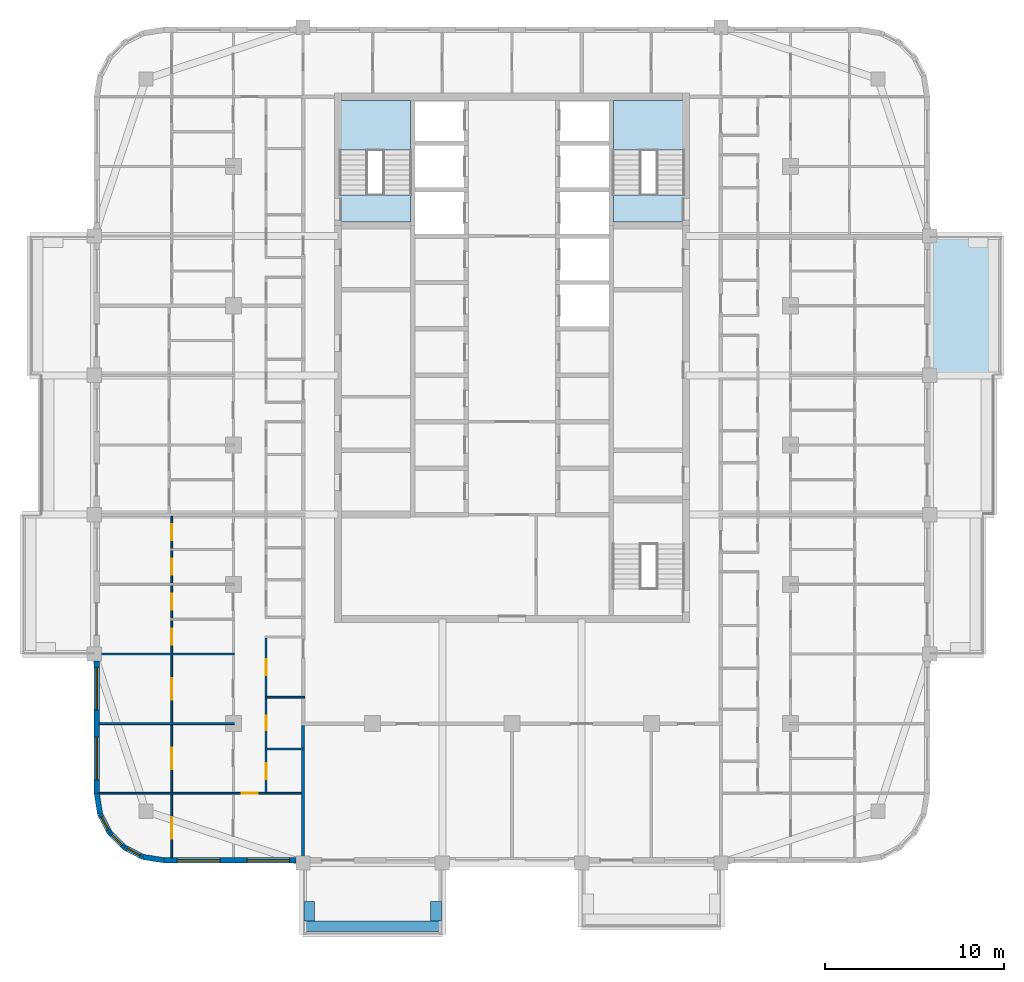
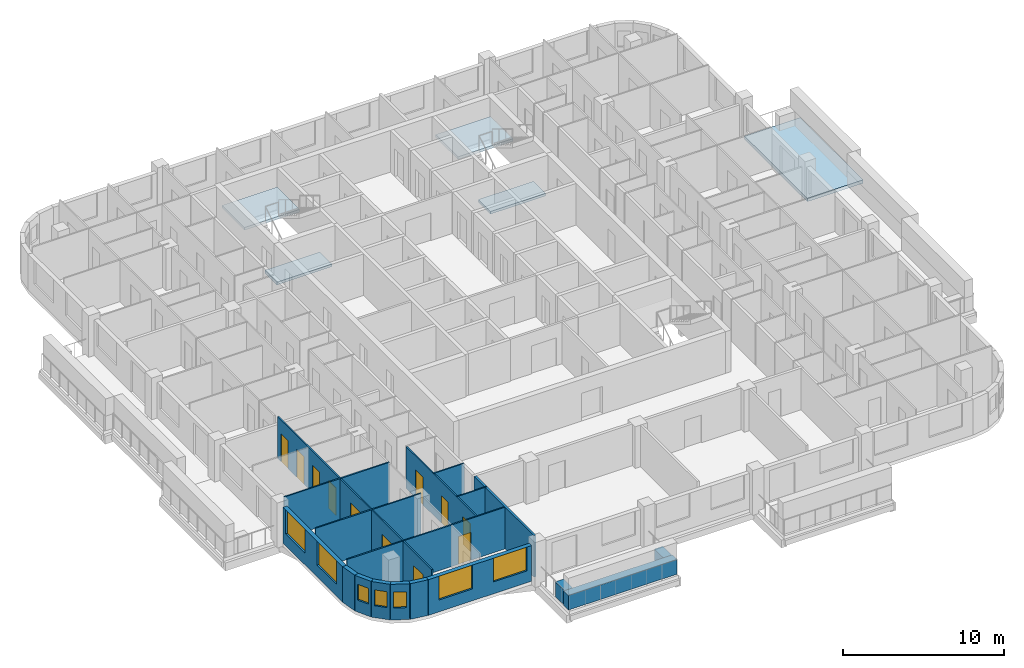
# One storey, part 2 of 16: 18 walls, 11 doors, 7 windows, 5 slabs, 18 openings, 2 elements without a shape of their own.
"""IFC4 building model written with IfcOpenShell, lengths in metres."""

from ifc_helpers import new_model, si_unit, direction, frame, frame_2d, origin, place, context, subcontext, project, spatial, polyline, rectangle, outline, extrude, material, layer, layer_set, type_object, element, fill, aggregate, save


model = new_model("IFC4")

# Units and contexts
model_context = context("Model", 3, precision=1e-05, world=origin(), true_north=direction((0.0, 1.0)))
body_context = subcontext(model_context, "Body", "Model", "MODEL_VIEW")
ifc_project = project(units=[si_unit("LENGTHUNIT", "METRE"), si_unit("AREAUNIT", "SQUARE_METRE"), si_unit("VOLUMEUNIT", "CUBIC_METRE"), si_unit("PLANEANGLEUNIT", "RADIAN"), si_unit("MASSUNIT", "GRAM", prefix="KILO")], contexts=[model_context])

# Site, building, storey
site_placement = place(None, origin())
site = spatial("IfcSite", under=ifc_project, at=site_placement, CompositionType="ELEMENT")
building_placement = place(site_placement, origin())
building = spatial("IfcBuilding", under=site, at=building_placement, Name="Ludao Terraces", CompositionType="ELEMENT")
storey_placement = place(building_placement, frame((0.0, 0.0, 227.89990234375)))
storey = spatial("IfcBuildingStorey", under=building, at=storey_placement, Name="L62", CompositionType="ELEMENT", Elevation=227.89990234375)

# Slab
ifc_material_1 = material(Name="Concrete C40", Category="concrete")
ifc_layer_1 = layer(ifc_material_1, 0.25)
ifc_layer_set_1 = layer_set([ifc_layer_1], Name="Balcony slab 250 C40")
slab_type_1 = type_object("IfcSlabType", Name="Balcony slab 250 C40", PredefinedType="USERDEFINED", material=ifc_layer_set_1)
slab_1_placement = place(storey_placement, frame((0.0, 0.0, -0.25)))
element("IfcSlab", 1, at=slab_1_placement, inside=storey, type_object=slab_type_1, Name="Balcony L62 E3", ObjectType="BALCONY", PredefinedType="USERDEFINED", context=body_context, shape_type="SweptSolid", body=[
    extrude(outline(polyline([(108.39990234375, 68.89990234375), (112.39990234375, 68.89990234375), (112.39990234375, 76.699951171875), (108.39990234375, 76.699951171875), (108.39990234375, 68.89990234375)])), origin(), (0.0, 0.0, 1.0), 0.25),
])

# Stair, slabs
stair_type = type_object("IfcStairType", Name="INT Stair", PredefinedType="HALF_TURN_STAIR", material=ifc_material_1)
stair_1_placement = place(storey_placement, origin())
stair_1 = element("IfcStair", 2, at=stair_1_placement, inside=storey, type_object=stair_type, Name="EXIT STAIR 1", PredefinedType="HALF_TURN_STAIR")
ifc_layer_2 = layer(ifc_material_1, 0.199951171875)
ifc_layer_set_2 = layer_set([ifc_layer_2], Name="INT Stair landing 200")
slab_type_2 = type_object("IfcSlabType", Name="INT Stair landing 200", PredefinedType="LANDING", material=ifc_layer_set_2)
slab_2_placement = place(storey_placement, frame((0.0, 0.0, 1.5)))
slab_2 = element("IfcSlab", 3, at=slab_2_placement, type_object=slab_type_2, Name="ST1 landing 1", PredefinedType="LANDING", context=body_context, shape_type="SweptSolid", body=[
    extrude(outline(polyline([(75.375, 81.52001953125), (79.324951171875, 81.52001953125), (79.324951171875, 84.300048828125), (75.375, 84.300048828125), (75.375, 81.52001953125)])), origin(), (0.0, 0.0, 1.0), 0.2001953125),
])
slab_3_placement = place(storey_placement, frame((0.0, 0.0, -0.199951171875)))
slab_3 = element("IfcSlab", 4, at=slab_3_placement, type_object=slab_type_2, Name="ST1 landing 2", PredefinedType="LANDING", context=body_context, shape_type="SweptSolid", body=[
    extrude(outline(polyline([(75.375, 77.5), (79.324951171875, 77.5), (79.324951171875, 79.0), (75.375, 79.0), (75.375, 77.5)])), origin(), (0.0, 0.0, 1.0), 0.199951171875),
])
aggregate(stair_1, [slab_2, slab_3])

stair_2_placement = place(storey_placement, origin())
stair_2 = element("IfcStair", 5, at=stair_2_placement, inside=storey, type_object=stair_type, Name="EXIT STAIR 2", PredefinedType="HALF_TURN_STAIR")
slab_4_placement = place(storey_placement, frame((0.0, 0.0, 1.5)))
slab_4 = element("IfcSlab", 6, at=slab_4_placement, type_object=slab_type_2, Name="ST2 landing 1", PredefinedType="LANDING", context=body_context, shape_type="SweptSolid", body=[
    extrude(outline(polyline([(90.675048828125, 81.52001953125), (94.625, 81.52001953125), (94.625, 84.300048828125), (90.675048828125, 84.300048828125), (90.675048828125, 81.52001953125)])), origin(), (0.0, 0.0, 1.0), 0.2001953125),
])
slab_5_placement = place(storey_placement, frame((0.0, 0.0, -0.199951171875)))
slab_5 = element("IfcSlab", 7, at=slab_5_placement, type_object=slab_type_2, Name="ST2 landing 2", PredefinedType="LANDING", context=body_context, shape_type="SweptSolid", body=[
    extrude(outline(polyline([(90.675048828125, 77.5), (94.625, 77.5), (94.625, 79.0), (90.675048828125, 79.0), (90.675048828125, 77.5)])), origin(), (0.0, 0.0, 1.0), 0.199951171875),
])
aggregate(stair_2, [slab_4, slab_5])

# Walls
ifc_layer_3 = layer(ifc_material_1, 0.60009765625)
ifc_layer_set_3 = layer_set([ifc_layer_3], Name="ENV Planter trough 600")
wall_type_1 = type_object("IfcWallType", Name="ENV Planter trough 600", PredefinedType="USERDEFINED", material=ifc_layer_set_3)
wall_1_placement = place(storey_placement, frame((73.300048828125, 38.050048828125, 0.0), z_axis=(0.0, 0.0, 1.0), x_axis=(1.0, 0.0, 0.0)))
element("IfcWall", 8, at=wall_1_placement, inside=storey, type_object=wall_type_1, Name="PL-L62-S1", ObjectType="PLANTER", PredefinedType="USERDEFINED", context=body_context, shape_type="SweptSolid", body=[
    extrude(rectangle(XDim=7.800048828125, YDim=0.60009765625, at=frame_2d((3.89990234375, 0.0))), origin(), (0.0, 0.0, 1.0), 1.10009765625),
])
for number, where, z_axis, x_axis, name in (
    (9, (73.64990234375, 38.35009765625, 0.0), (0.0, 0.0, 1.0), (0.0, 1.0, 0.0), "PL-L62-S1-SA"),
    (10, (80.75, 38.35009765625, 0.0), (0.0, 0.0, 1.0), (0.0, 1.0, 0.0), "PL-L62-S1-SB"),
):
    element("IfcWall", number, at=place(storey_placement, frame(where, z_axis=z_axis, x_axis=x_axis)), inside=storey, type_object=wall_type_1, Name=name, ObjectType="PLANTER", PredefinedType="USERDEFINED", context=body_context, shape_type="SweptSolid", body=[
        extrude(rectangle(XDim=1.099853515625, YDim=0.60009765625, at=frame_2d((0.5498046875, 0.0))), origin(), (0.0, 0.0, 1.0), 1.10009765625),
    ])

# Wall, openings, windows
ifc_material_2 = material(Name="Granite cladding", Category="masonry")
ifc_layer_4 = layer(ifc_material_2, 0.0400390625, Category="stone")
ifc_material_3 = material(Name="Mineral wool")
ifc_layer_5 = layer(ifc_material_3, 0.06005859375)
ifc_layer_6 = layer(ifc_material_1, 0.199951171875, Category="concrete")
ifc_layer_set_4 = layer_set([ifc_layer_4, ifc_layer_5, ifc_layer_6], Name="ENV Stone-clad wall 300")
wall_type_2 = type_object("IfcWallType", Name="ENV Stone-clad wall 300", PredefinedType="SOLIDWALL", material=ifc_layer_set_4)
wall_2_placement = place(storey_placement, frame((65.5, 41.75, 0.0), z_axis=(0.0, 0.0, 1.0), x_axis=(1.0, 0.0, 0.0)))
wall_2 = element("IfcWall", 11, at=wall_2_placement, inside=storey, type_object=wall_type_2, Name="EW-L62-S1", PredefinedType="SOLIDWALL", context=body_context, shape_type="SweptSolid", body=[
    extrude(rectangle(XDim=7.39990234375, YDim=0.300048828125, at=frame_2d((3.699951171875, 0.0))), origin(), (0.0, 0.0, 1.0), 2.7001953125),
])
opening_1_placement = place(wall_2_placement, frame((0.75, 0.0, 0.89990234375)))
opening_1 = element("IfcOpeningElement", 12, at=opening_1_placement, cuts=wall_2, Name="Opening W1", PredefinedType="OPENING", context=body_context, shape_type="SweptSolid", body=[
    extrude(rectangle(XDim=2.39990234375, YDim=1.800048828125, at=frame_2d((1.199951171875, 0.89990234375))), frame((0.0, 0.16015625, 0.0), z_axis=(0.0, -1.0, 0.0), x_axis=(1.0, 0.0, 0.0)), (0.0, 0.0, 1.0), 0.320068359375),
])
opening_2_placement = place(wall_2_placement, frame((4.64990234375, 0.0, 0.89990234375)))
opening_2 = element("IfcOpeningElement", 13, at=opening_2_placement, cuts=wall_2, Name="Opening W1", PredefinedType="OPENING", context=body_context, shape_type="SweptSolid", body=[
    extrude(rectangle(XDim=2.39990234375, YDim=1.800048828125, at=frame_2d((1.199951171875, 0.89990234375))), frame((0.0, 0.16015625, 0.0), z_axis=(0.0, -1.0, 0.0), x_axis=(1.0, 0.0, 0.0)), (0.0, 0.0, 1.0), 0.320068359375),
])
ifc_material_4 = material(Name="Clear glass in aluminium frame", Category="aluminium")
ifc_layer_7 = layer(ifc_material_4, 0.06005859375)
ifc_layer_set_5 = layer_set([ifc_layer_7], Name="ENV Window W1 2400x1800")
window_type_1 = type_object("IfcWindowType", Name="ENV Window W1 2400x1800", PartitioningType="DOUBLE_PANEL_VERTICAL", PredefinedType="WINDOW", material=ifc_layer_set_5)
window_1_placement = place(opening_1_placement, origin())
window_1 = element("IfcWindow", 14, at=window_1_placement, inside=storey, type_object=window_type_1, Name="W-L62-S1-1", OverallHeight=1.800048828125, OverallWidth=2.39990234375, PartitioningType="DOUBLE_PANEL_VERTICAL", PredefinedType="WINDOW", context=body_context, shape_type="SweptSolid", body=[
    extrude(rectangle(XDim=2.39990234375, YDim=1.800048828125, at=frame_2d((1.199951171875, 0.89990234375))), frame((0.0, 0.030029296875, 0.0), z_axis=(0.0, -1.0, 0.0), x_axis=(1.0, 0.0, 0.0)), (0.0, 0.0, 1.0), 0.06005859375),
])
fill(opening_1, window_1)
window_2_placement = place(opening_2_placement, origin())
window_2 = element("IfcWindow", 15, at=window_2_placement, inside=storey, type_object=window_type_1, Name="W-L62-S1-2", OverallHeight=1.800048828125, OverallWidth=2.39990234375, PartitioningType="DOUBLE_PANEL_VERTICAL", PredefinedType="WINDOW", context=body_context, shape_type="SweptSolid", body=[
    extrude(rectangle(XDim=2.39990234375, YDim=1.800048828125, at=frame_2d((1.199951171875, 0.89990234375))), frame((0.0, 0.030029296875, 0.0), z_axis=(0.0, -1.0, 0.0), x_axis=(1.0, 0.0, 0.0)), (0.0, 0.0, 1.0), 0.06005859375),
])
fill(opening_2, window_2)

wall_3_placement = place(storey_placement, frame((61.75, 45.5, 0.0), z_axis=(0.0, 0.0, 1.0), x_axis=(0.0, 1.0, 0.0)))
wall_3 = element("IfcWall", 16, at=wall_3_placement, inside=storey, type_object=wall_type_2, Name="EW-L62-W1", PredefinedType="SOLIDWALL", context=body_context, shape_type="SweptSolid", body=[
    extrude(rectangle(XDim=7.39990234375, YDim=0.300048828125, at=frame_2d((3.699951171875, 0.0))), origin(), (0.0, 0.0, 1.0), 2.7001953125),
])
opening_3_placement = place(wall_3_placement, frame((0.75, 0.0, 0.89990234375)))
opening_3 = element("IfcOpeningElement", 17, at=opening_3_placement, cuts=wall_3, Name="Opening W1", PredefinedType="OPENING", context=body_context, shape_type="SweptSolid", body=[
    extrude(rectangle(XDim=2.39990234375, YDim=1.800048828125, at=frame_2d((1.199951171875, 0.89990234375))), frame((0.0, 0.16015625, 0.0), z_axis=(0.0, -1.0, 0.0), x_axis=(1.0, 0.0, 0.0)), (0.0, 0.0, 1.0), 0.320068359375),
])
opening_4_placement = place(wall_3_placement, frame((4.64990234375, 0.0, 0.89990234375)))
opening_4 = element("IfcOpeningElement", 18, at=opening_4_placement, cuts=wall_3, Name="Opening W1", PredefinedType="OPENING", context=body_context, shape_type="SweptSolid", body=[
    extrude(rectangle(XDim=2.39990234375, YDim=1.800048828125, at=frame_2d((1.199951171875, 0.89990234375))), frame((0.0, 0.16015625, 0.0), z_axis=(0.0, -1.0, 0.0), x_axis=(1.0, 0.0, 0.0)), (0.0, 0.0, 1.0), 0.320068359375),
])
window_3_placement = place(opening_3_placement, origin())
window_3 = element("IfcWindow", 19, at=window_3_placement, inside=storey, type_object=window_type_1, Name="W-L62-W1-1", OverallHeight=1.800048828125, OverallWidth=2.39990234375, PartitioningType="DOUBLE_PANEL_VERTICAL", PredefinedType="WINDOW", context=body_context, shape_type="SweptSolid", body=[
    extrude(rectangle(XDim=2.39990234375, YDim=1.800048828125, at=frame_2d((1.199951171875, 0.89990234375))), frame((0.0, 0.030029296875, 0.0), z_axis=(0.0, -1.0, 0.0), x_axis=(1.0, 0.0, 0.0)), (0.0, 0.0, 1.0), 0.06005859375),
])
fill(opening_3, window_3)
window_4_placement = place(opening_4_placement, origin())
window_4 = element("IfcWindow", 20, at=window_4_placement, inside=storey, type_object=window_type_1, Name="W-L62-W1-2", OverallHeight=1.800048828125, OverallWidth=2.39990234375, PartitioningType="DOUBLE_PANEL_VERTICAL", PredefinedType="WINDOW", context=body_context, shape_type="SweptSolid", body=[
    extrude(rectangle(XDim=2.39990234375, YDim=1.800048828125, at=frame_2d((1.199951171875, 0.89990234375))), frame((0.0, 0.030029296875, 0.0), z_axis=(0.0, -1.0, 0.0), x_axis=(1.0, 0.0, 0.0)), (0.0, 0.0, 1.0), 0.06005859375),
])
fill(opening_4, window_4)

# Wall
wall_4_placement = place(storey_placement, frame((61.75, 45.5, 0.0), z_axis=(0.0, 0.0, 1.0), x_axis=(0.156496880861, -0.987678452879, 0.0)))
element("IfcWall", 21, at=wall_4_placement, inside=storey, type_object=wall_type_2, Name="EW-L62-SW1", PredefinedType="SOLIDWALL", context=body_context, shape_type="SweptSolid", body=[
    extrude(rectangle(XDim=1.173095703125, YDim=0.300048828125, at=frame_2d((0.58642578125, 0.0))), origin(), (0.0, 0.0, 1.0), 2.7001953125),
])

# Wall, opening, window
wall_5_placement = place(storey_placement, frame((61.93359375, 44.34130859375, 0.0), z_axis=(0.0, 0.0, 1.0), x_axis=(0.454025524128, -0.890988677504, 0.0)))
wall_5 = element("IfcWall", 22, at=wall_5_placement, inside=storey, type_object=wall_type_2, Name="EW-L62-SW2", PredefinedType="SOLIDWALL", context=body_context, shape_type="SweptSolid", body=[
    extrude(rectangle(XDim=1.17333984375, YDim=0.300048828125, at=frame_2d((0.586669921875, 0.0))), origin(), (0.0, 0.0, 1.0), 2.7001953125),
])
opening_5_placement = place(wall_5_placement, frame((0.1865234375, 0.0, 0.89990234375)))
opening_5 = element("IfcOpeningElement", 23, at=opening_5_placement, cuts=wall_5, Name="Opening W3", PredefinedType="OPENING", context=body_context, shape_type="SweptSolid", body=[
    extrude(rectangle(XDim=0.800048828125, YDim=1.199951171875, at=frame_2d((0.39990234375, 0.60009765625))), frame((0.0, 0.16015625, 0.0), z_axis=(0.0, -1.0, 0.0), x_axis=(1.0, 0.0, 0.0)), (0.0, 0.0, 1.0), 0.320068359375),
])
ifc_layer_8 = layer(ifc_material_4, 0.06005859375)
ifc_layer_set_6 = layer_set([ifc_layer_8], Name="ENV Window W3 800x1200")
window_type_2 = type_object("IfcWindowType", Name="ENV Window W3 800x1200", PartitioningType="SINGLE_PANEL", PredefinedType="WINDOW", material=ifc_layer_set_6)
window_5_placement = place(opening_5_placement, origin())
window_5 = element("IfcWindow", 24, at=window_5_placement, inside=storey, type_object=window_type_2, Name="W-L62-SW2", OverallHeight=1.199951171875, OverallWidth=0.800048828125, PartitioningType="SINGLE_PANEL", PredefinedType="WINDOW", context=body_context, shape_type="SweptSolid", body=[
    extrude(rectangle(XDim=0.800048828125, YDim=1.199951171875, at=frame_2d((0.39990234375, 0.60009765625))), frame((0.0, 0.030029296875, 0.0), z_axis=(0.0, -1.0, 0.0), x_axis=(1.0, 0.0, 0.0)), (0.0, 0.0, 1.0), 0.06005859375),
])
fill(opening_5, window_5)

wall_6_placement = place(storey_placement, frame((62.46630859375, 43.2958984375, 0.0), z_axis=(0.0, 0.0, 1.0), x_axis=(0.707106781187, -0.707106781187, 0.0)))
wall_6 = element("IfcWall", 25, at=wall_6_placement, inside=storey, type_object=wall_type_2, Name="EW-L62-SW3", PredefinedType="SOLIDWALL", context=body_context, shape_type="SweptSolid", body=[
    extrude(rectangle(XDim=1.173095703125, YDim=0.300048828125, at=frame_2d((0.58642578125, 0.0))), origin(), (0.0, 0.0, 1.0), 2.7001953125),
])
opening_6_placement = place(wall_6_placement, frame((0.1865234375, 0.0, 0.89990234375)))
opening_6 = element("IfcOpeningElement", 26, at=opening_6_placement, cuts=wall_6, Name="Opening W3", PredefinedType="OPENING", context=body_context, shape_type="SweptSolid", body=[
    extrude(rectangle(XDim=0.800048828125, YDim=1.199951171875, at=frame_2d((0.39990234375, 0.60009765625))), frame((0.0, 0.16015625, 0.0), z_axis=(0.0, -1.0, 0.0), x_axis=(1.0, 0.0, 0.0)), (0.0, 0.0, 1.0), 0.320068359375),
])
window_6_placement = place(opening_6_placement, origin())
window_6 = element("IfcWindow", 27, at=window_6_placement, inside=storey, type_object=window_type_2, Name="W-L62-SW3", OverallHeight=1.199951171875, OverallWidth=0.800048828125, PartitioningType="SINGLE_PANEL", PredefinedType="WINDOW", context=body_context, shape_type="SweptSolid", body=[
    extrude(rectangle(XDim=0.800048828125, YDim=1.199951171875, at=frame_2d((0.39990234375, 0.60009765625))), frame((0.0, 0.030029296875, 0.0), z_axis=(0.0, -1.0, 0.0), x_axis=(1.0, 0.0, 0.0)), (0.0, 0.0, 1.0), 0.06005859375),
])
fill(opening_6, window_6)

wall_7_placement = place(storey_placement, frame((63.2958984375, 42.46630859375, 0.0), z_axis=(0.0, 0.0, 1.0), x_axis=(0.890988677504, -0.454025524128, 0.0)))
wall_7 = element("IfcWall", 28, at=wall_7_placement, inside=storey, type_object=wall_type_2, Name="EW-L62-SW4", PredefinedType="SOLIDWALL", context=body_context, shape_type="SweptSolid", body=[
    extrude(rectangle(XDim=1.17333984375, YDim=0.300048828125, at=frame_2d((0.586669921875, 0.0))), origin(), (0.0, 0.0, 1.0), 2.7001953125),
])
opening_7_placement = place(wall_7_placement, frame((0.1865234375, 0.0, 0.89990234375)))
opening_7 = element("IfcOpeningElement", 29, at=opening_7_placement, cuts=wall_7, Name="Opening W3", PredefinedType="OPENING", context=body_context, shape_type="SweptSolid", body=[
    extrude(rectangle(XDim=0.800048828125, YDim=1.199951171875, at=frame_2d((0.39990234375, 0.60009765625))), frame((0.0, 0.16015625, 0.0), z_axis=(0.0, -1.0, 0.0), x_axis=(1.0, 0.0, 0.0)), (0.0, 0.0, 1.0), 0.320068359375),
])
window_7_placement = place(opening_7_placement, origin())
window_7 = element("IfcWindow", 30, at=window_7_placement, inside=storey, type_object=window_type_2, Name="W-L62-SW4", OverallHeight=1.199951171875, OverallWidth=0.800048828125, PartitioningType="SINGLE_PANEL", PredefinedType="WINDOW", context=body_context, shape_type="SweptSolid", body=[
    extrude(rectangle(XDim=0.800048828125, YDim=1.199951171875, at=frame_2d((0.39990234375, 0.60009765625))), frame((0.0, 0.030029296875, 0.0), z_axis=(0.0, -1.0, 0.0), x_axis=(1.0, 0.0, 0.0)), (0.0, 0.0, 1.0), 0.06005859375),
])
fill(opening_7, window_7)

# Wall
wall_8_placement = place(storey_placement, frame((64.34130859375, 41.93359375, 0.0), z_axis=(0.0, 0.0, 1.0), x_axis=(0.987678452879, -0.156496880861, 0.0)))
element("IfcWall", 31, at=wall_8_placement, inside=storey, type_object=wall_type_2, Name="EW-L62-SW5", PredefinedType="SOLIDWALL", context=body_context, shape_type="SweptSolid", body=[
    extrude(rectangle(XDim=1.173095703125, YDim=0.300048828125, at=frame_2d((0.58642578125, 0.0))), origin(), (0.0, 0.0, 1.0), 2.7001953125),
])

# Wall, opening, door
ifc_material_5 = material(Name="Gypsum plasterboard", Category="gypsum")
ifc_layer_9 = layer(ifc_material_5, 0.012451171875, Category="gypsum")
ifc_layer_10 = layer(ifc_material_3, 0.06005859375, Name="insulation")
ifc_material_6 = material(Name="Steel Q235", Category="steel")
ifc_layer_11 = layer(ifc_material_6, 0.014892578125, Name="stud")
ifc_layer_12 = layer(ifc_material_5, 0.012451171875, Category="gypsum")
ifc_layer_set_7 = layer_set([ifc_layer_9, ifc_layer_10, ifc_layer_11, ifc_layer_12], Name="INT Partition 100")
wall_type_3 = type_object("IfcWallType", Name="INT Partition 100", PredefinedType="PARTITIONING", material=ifc_layer_set_7)
wall_9_placement = place(storey_placement, frame((61.900146484375, 45.5, 0.0), z_axis=(0.0, 0.0, 1.0), x_axis=(1.0, 0.0, 0.0)))
wall_9 = element("IfcWall", 32, at=wall_9_placement, inside=storey, type_object=wall_type_3, Name="PW-L62-PW000", PredefinedType="PARTITIONING", context=body_context, shape_type="SweptSolid", body=[
    extrude(rectangle(XDim=11.474853515625, YDim=0.10009765625, at=frame_2d((5.7373046875, 0.0))), origin(), (0.0, 0.0, 1.0), 3.150146484375),
])
opening_8_placement = place(wall_9_placement, frame((7.965087890625, 0.0, 0.0)))
opening_8 = element("IfcOpeningElement", 33, at=opening_8_placement, cuts=wall_9, Name="Opening R22-005", PredefinedType="OPENING", context=body_context, shape_type="SweptSolid", body=[
    extrude(rectangle(XDim=0.89990234375, YDim=2.10009765625, at=frame_2d((0.449951171875, 1.050048828125))), frame((0.0, 0.06005859375, 0.0), z_axis=(0.0, -1.0, 0.0), x_axis=(1.0, 0.0, 0.0)), (0.0, 0.0, 1.0), 0.1201171875),
])
ifc_material_7 = material(Name="Timber door leaf", Category="wood")
door_type_1 = type_object("IfcDoorType", Name="INT Room door 900", OperationType="SINGLE_SWING_LEFT", PredefinedType="DOOR", material=ifc_material_7)
door_1_placement = place(opening_8_placement, origin())
door_1 = element("IfcDoor", 34, at=door_1_placement, inside=storey, type_object=door_type_1, Name="DOOR 005", OperationType="SINGLE_SWING_RIGHT", OverallHeight=2.10009765625, OverallWidth=0.89990234375, PredefinedType="DOOR", context=body_context, shape_type="SweptSolid", body=[
    extrude(rectangle(XDim=0.89990234375, YDim=2.10009765625, at=frame_2d((0.449951171875, 1.050048828125))), frame((0.0, 0.02490234375, 0.0), z_axis=(0.0, -1.0, 0.0), x_axis=(1.0, 0.0, 0.0)), (0.0, 0.0, 1.0), 0.050048828125),
])
fill(opening_8, door_1)

# Walls
wall_10_placement = place(storey_placement, frame((71.18017578125, 47.97998046875, 0.0), z_axis=(0.0, 0.0, 1.0), x_axis=(1.0, 0.0, 0.0)))
element("IfcWall", 35, at=wall_10_placement, inside=storey, type_object=wall_type_3, Name="PW-L62-PW004", PredefinedType="PARTITIONING", context=body_context, shape_type="SweptSolid", body=[
    extrude(rectangle(XDim=2.19482421875, YDim=0.10009765625, at=frame_2d((1.097412109375, 0.0))), origin(), (0.0, 0.0, 1.0), 3.150146484375),
])
wall_11_placement = place(storey_placement, frame((61.900146484375, 49.39990234375, 0.0), z_axis=(0.0, 0.0, 1.0), x_axis=(1.0, 0.0, 0.0)))
element("IfcWall", 36, at=wall_11_placement, inside=storey, type_object=wall_type_3, Name="PW-L62-PW005", PredefinedType="PARTITIONING", context=body_context, shape_type="SweptSolid", body=[
    extrude(rectangle(XDim=7.550048828125, YDim=0.10009765625, at=frame_2d((3.77490234375, 0.0))), origin(), (0.0, 0.0, 1.0), 3.150146484375),
])
wall_12_placement = place(storey_placement, frame((71.18017578125, 50.8798828125, 0.0), z_axis=(0.0, 0.0, 1.0), x_axis=(1.0, 0.0, 0.0)))
element("IfcWall", 37, at=wall_12_placement, inside=storey, type_object=wall_type_3, Name="PW-L62-PW009", PredefinedType="PARTITIONING", context=body_context, shape_type="SweptSolid", body=[
    extrude(rectangle(XDim=2.219970703125, YDim=0.10009765625, at=frame_2d((1.10986328125, 0.0))), origin(), (0.0, 0.0, 1.0), 3.150146484375),
])
wall_13_placement = place(storey_placement, frame((61.900146484375, 53.300048828125, 0.0), z_axis=(0.0, 0.0, 1.0), x_axis=(1.0, 0.0, 0.0)))
element("IfcWall", 38, at=wall_13_placement, inside=storey, type_object=wall_type_3, Name="PW-L62-PW011", PredefinedType="PARTITIONING", context=body_context, shape_type="SweptSolid", body=[
    extrude(rectangle(XDim=7.550048828125, YDim=0.10009765625, at=frame_2d((3.77490234375, 0.0))), origin(), (0.0, 0.0, 1.0), 3.150146484375),
])

# Wall, openings, doors
wall_14_placement = place(storey_placement, frame((65.949951171875, 41.900146484375, 0.0), z_axis=(0.0, 0.0, 1.0), x_axis=(0.0, 1.0, 0.0)))
wall_14 = element("IfcWall", 39, at=wall_14_placement, inside=storey, type_object=wall_type_3, Name="PW-L62-PW070", PredefinedType="PARTITIONING", context=body_context, shape_type="SweptSolid", body=[
    extrude(rectangle(XDim=19.099853515625, YDim=0.10009765625, at=frame_2d((9.5498046875, 0.0))), origin(), (0.0, 0.0, 1.0), 3.150146484375),
])
opening_9_placement = place(wall_14_placement, frame((1.050048828125, 0.0, 0.0)))
opening_9 = element("IfcOpeningElement", 40, at=opening_9_placement, cuts=wall_14, Name="Opening R22-001", PredefinedType="OPENING", context=body_context, shape_type="SweptSolid", body=[
    extrude(rectangle(XDim=1.199951171875, YDim=2.10009765625, at=frame_2d((0.60009765625, 1.050048828125))), frame((0.0, 0.06005859375, 0.0), z_axis=(0.0, -1.0, 0.0), x_axis=(1.0, 0.0, 0.0)), (0.0, 0.0, 1.0), 0.1201171875),
])
opening_10_placement = place(wall_14_placement, frame((4.949951171875, 0.0, 0.0)))
opening_10 = element("IfcOpeningElement", 41, at=opening_10_placement, cuts=wall_14, Name="Opening R22-010", PredefinedType="OPENING", context=body_context, shape_type="SweptSolid", body=[
    extrude(rectangle(XDim=1.199951171875, YDim=2.10009765625, at=frame_2d((0.60009765625, 1.050048828125))), frame((0.0, 0.06005859375, 0.0), z_axis=(0.0, -1.0, 0.0), x_axis=(1.0, 0.0, 0.0)), (0.0, 0.0, 1.0), 0.1201171875),
])
opening_11_placement = place(wall_14_placement, frame((8.85009765625, 0.0, 0.0)))
opening_11 = element("IfcOpeningElement", 42, at=opening_11_placement, cuts=wall_14, Name="Opening R22-019", PredefinedType="OPENING", context=body_context, shape_type="SweptSolid", body=[
    extrude(rectangle(XDim=1.199951171875, YDim=2.10009765625, at=frame_2d((0.60009765625, 1.050048828125))), frame((0.0, 0.06005859375, 0.0), z_axis=(0.0, -1.0, 0.0), x_axis=(1.0, 0.0, 0.0)), (0.0, 0.0, 1.0), 0.1201171875),
])
opening_12_placement = place(wall_14_placement, frame((11.925048828125, 0.0, 0.0)))
opening_12 = element("IfcOpeningElement", 43, at=opening_12_placement, cuts=wall_14, Name="Opening R22-027", PredefinedType="OPENING", context=body_context, shape_type="SweptSolid", body=[
    extrude(rectangle(XDim=0.89990234375, YDim=2.10009765625, at=frame_2d((0.449951171875, 1.050048828125))), frame((0.0, 0.06005859375, 0.0), z_axis=(0.0, -1.0, 0.0), x_axis=(1.0, 0.0, 0.0)), (0.0, 0.0, 1.0), 0.1201171875),
])
opening_13_placement = place(wall_14_placement, frame((13.875, 0.0, 0.0)))
opening_13 = element("IfcOpeningElement", 44, at=opening_13_placement, cuts=wall_14, Name="Opening R22-032", PredefinedType="OPENING", context=body_context, shape_type="SweptSolid", body=[
    extrude(rectangle(XDim=0.89990234375, YDim=2.10009765625, at=frame_2d((0.449951171875, 1.050048828125))), frame((0.0, 0.06005859375, 0.0), z_axis=(0.0, -1.0, 0.0), x_axis=(1.0, 0.0, 0.0)), (0.0, 0.0, 1.0), 0.1201171875),
])
opening_14_placement = place(wall_14_placement, frame((15.824951171875, 0.0, 0.0)))
opening_14 = element("IfcOpeningElement", 45, at=opening_14_placement, cuts=wall_14, Name="Opening R22-037", PredefinedType="OPENING", context=body_context, shape_type="SweptSolid", body=[
    extrude(rectangle(XDim=0.89990234375, YDim=2.10009765625, at=frame_2d((0.449951171875, 1.050048828125))), frame((0.0, 0.06005859375, 0.0), z_axis=(0.0, -1.0, 0.0), x_axis=(1.0, 0.0, 0.0)), (0.0, 0.0, 1.0), 0.1201171875),
])
opening_15_placement = place(wall_14_placement, frame((17.77490234375, 0.0, 0.0)))
opening_15 = element("IfcOpeningElement", 46, at=opening_15_placement, cuts=wall_14, Name="Opening R22-042", PredefinedType="OPENING", context=body_context, shape_type="SweptSolid", body=[
    extrude(rectangle(XDim=0.89990234375, YDim=2.10009765625, at=frame_2d((0.449951171875, 1.050048828125))), frame((0.0, 0.06005859375, 0.0), z_axis=(0.0, -1.0, 0.0), x_axis=(1.0, 0.0, 0.0)), (0.0, 0.0, 1.0), 0.1201171875),
])
door_type_2 = type_object("IfcDoorType", Name="INT Bathroom door 900", OperationType="SINGLE_SWING_LEFT", PredefinedType="DOOR", material=ifc_material_7)
door_2_placement = place(opening_12_placement, origin())
door_2 = element("IfcDoor", 47, at=door_2_placement, inside=storey, type_object=door_type_2, Name="DOOR 027", OperationType="SINGLE_SWING_RIGHT", OverallHeight=2.10009765625, OverallWidth=0.89990234375, PredefinedType="DOOR", context=body_context, shape_type="SweptSolid", body=[
    extrude(rectangle(XDim=0.89990234375, YDim=2.10009765625, at=frame_2d((0.449951171875, 1.050048828125))), frame((0.0, 0.02490234375, 0.0), z_axis=(0.0, -1.0, 0.0), x_axis=(1.0, 0.0, 0.0)), (0.0, 0.0, 1.0), 0.050048828125),
])
fill(opening_12, door_2)
door_3_placement = place(opening_14_placement, origin())
door_3 = element("IfcDoor", 48, at=door_3_placement, inside=storey, type_object=door_type_2, Name="DOOR 037", OperationType="SINGLE_SWING_LEFT", OverallHeight=2.10009765625, OverallWidth=0.89990234375, PredefinedType="DOOR", context=body_context, shape_type="SweptSolid", body=[
    extrude(rectangle(XDim=0.89990234375, YDim=2.10009765625, at=frame_2d((0.449951171875, 1.050048828125))), frame((0.0, 0.02490234375, 0.0), z_axis=(0.0, -1.0, 0.0), x_axis=(1.0, 0.0, 0.0)), (0.0, 0.0, 1.0), 0.050048828125),
])
fill(opening_14, door_3)
door_type_3 = type_object("IfcDoorType", Name="INT Double door 1200", OperationType="DOUBLE_DOOR_SINGLE_SWING", PredefinedType="DOOR", material=ifc_material_7)
door_4_placement = place(opening_9_placement, origin())
door_4 = element("IfcDoor", 49, at=door_4_placement, inside=storey, type_object=door_type_3, Name="DOOR 001", OperationType="DOUBLE_DOOR_SINGLE_SWING", OverallHeight=2.10009765625, OverallWidth=1.199951171875, PredefinedType="DOOR", context=body_context, shape_type="SweptSolid", body=[
    extrude(rectangle(XDim=1.199951171875, YDim=2.10009765625, at=frame_2d((0.60009765625, 1.050048828125))), frame((0.0, 0.02490234375, 0.0), z_axis=(0.0, -1.0, 0.0), x_axis=(1.0, 0.0, 0.0)), (0.0, 0.0, 1.0), 0.050048828125),
])
fill(opening_9, door_4)
door_5_placement = place(opening_10_placement, origin())
door_5 = element("IfcDoor", 50, at=door_5_placement, inside=storey, type_object=door_type_3, Name="DOOR 010", OperationType="DOUBLE_DOOR_SINGLE_SWING", OverallHeight=2.10009765625, OverallWidth=1.199951171875, PredefinedType="DOOR", context=body_context, shape_type="SweptSolid", body=[
    extrude(rectangle(XDim=1.199951171875, YDim=2.10009765625, at=frame_2d((0.60009765625, 1.050048828125))), frame((0.0, 0.02490234375, 0.0), z_axis=(0.0, -1.0, 0.0), x_axis=(1.0, 0.0, 0.0)), (0.0, 0.0, 1.0), 0.050048828125),
])
fill(opening_10, door_5)
door_6_placement = place(opening_11_placement, origin())
door_6 = element("IfcDoor", 51, at=door_6_placement, inside=storey, type_object=door_type_3, Name="DOOR 019", OperationType="DOUBLE_DOOR_SINGLE_SWING", OverallHeight=2.10009765625, OverallWidth=1.199951171875, PredefinedType="DOOR", context=body_context, shape_type="SweptSolid", body=[
    extrude(rectangle(XDim=1.199951171875, YDim=2.10009765625, at=frame_2d((0.60009765625, 1.050048828125))), frame((0.0, 0.02490234375, 0.0), z_axis=(0.0, -1.0, 0.0), x_axis=(1.0, 0.0, 0.0)), (0.0, 0.0, 1.0), 0.050048828125),
])
fill(opening_11, door_6)
door_7_placement = place(opening_13_placement, origin())
door_7 = element("IfcDoor", 52, at=door_7_placement, inside=storey, type_object=door_type_1, Name="DOOR 032", OperationType="SINGLE_SWING_RIGHT", OverallHeight=2.10009765625, OverallWidth=0.89990234375, PredefinedType="DOOR", context=body_context, shape_type="SweptSolid", body=[
    extrude(rectangle(XDim=0.89990234375, YDim=2.10009765625, at=frame_2d((0.449951171875, 1.050048828125))), frame((0.0, 0.02490234375, 0.0), z_axis=(0.0, -1.0, 0.0), x_axis=(1.0, 0.0, 0.0)), (0.0, 0.0, 1.0), 0.050048828125),
])
fill(opening_13, door_7)
door_8_placement = place(opening_15_placement, origin())
door_8 = element("IfcDoor", 53, at=door_8_placement, inside=storey, type_object=door_type_1, Name="DOOR 042", OperationType="SINGLE_SWING_LEFT", OverallHeight=2.10009765625, OverallWidth=0.89990234375, PredefinedType="DOOR", context=body_context, shape_type="SweptSolid", body=[
    extrude(rectangle(XDim=0.89990234375, YDim=2.10009765625, at=frame_2d((0.449951171875, 1.050048828125))), frame((0.0, 0.02490234375, 0.0), z_axis=(0.0, -1.0, 0.0), x_axis=(1.0, 0.0, 0.0)), (0.0, 0.0, 1.0), 0.050048828125),
])
fill(opening_15, door_8)

wall_15_placement = place(storey_placement, frame((71.22998046875, 45.550048828125, 0.0), z_axis=(0.0, 0.0, 1.0), x_axis=(0.0, 1.0, 0.0)))
wall_15 = element("IfcWall", 54, at=wall_15_placement, inside=storey, type_object=wall_type_3, Name="PW-L62-PW073", PredefinedType="PARTITIONING", context=body_context, shape_type="SweptSolid", body=[
    extrude(rectangle(XDim=8.650146484375, YDim=0.10009765625, at=frame_2d((4.3251953125, 0.0))), origin(), (0.0, 0.0, 1.0), 3.150146484375),
])
opening_16_placement = place(wall_15_placement, frame((0.739990234375, 0.0, 0.0)))
opening_16 = element("IfcOpeningElement", 55, at=opening_16_placement, cuts=wall_15, Name="Opening R22-009", PredefinedType="OPENING", context=body_context, shape_type="SweptSolid", body=[
    extrude(rectangle(XDim=0.89990234375, YDim=2.10009765625, at=frame_2d((0.449951171875, 1.050048828125))), frame((0.0, 0.06005859375, 0.0), z_axis=(0.0, -1.0, 0.0), x_axis=(1.0, 0.0, 0.0)), (0.0, 0.0, 1.0), 0.1201171875),
])
opening_17_placement = place(wall_15_placement, frame((3.47998046875, 0.0, 0.0)))
opening_17 = element("IfcOpeningElement", 56, at=opening_17_placement, cuts=wall_15, Name="Opening R22-018", PredefinedType="OPENING", context=body_context, shape_type="SweptSolid", body=[
    extrude(rectangle(XDim=0.800048828125, YDim=2.10009765625, at=frame_2d((0.39990234375, 1.050048828125))), frame((0.0, 0.06005859375, 0.0), z_axis=(0.0, -1.0, 0.0), x_axis=(1.0, 0.0, 0.0)), (0.0, 0.0, 1.0), 0.1201171875),
])
opening_18_placement = place(wall_15_placement, frame((6.56494140625, 0.0, 0.0)))
opening_18 = element("IfcOpeningElement", 57, at=opening_18_placement, cuts=wall_15, Name="Opening R22-024", PredefinedType="OPENING", context=body_context, shape_type="SweptSolid", body=[
    extrude(rectangle(XDim=0.89990234375, YDim=2.10009765625, at=frame_2d((0.449951171875, 1.050048828125))), frame((0.0, 0.06005859375, 0.0), z_axis=(0.0, -1.0, 0.0), x_axis=(1.0, 0.0, 0.0)), (0.0, 0.0, 1.0), 0.1201171875),
])
door_9_placement = place(opening_16_placement, origin())
door_9 = element("IfcDoor", 58, at=door_9_placement, inside=storey, type_object=door_type_2, Name="DOOR 009", OperationType="SINGLE_SWING_RIGHT", OverallHeight=2.10009765625, OverallWidth=0.89990234375, PredefinedType="DOOR", context=body_context, shape_type="SweptSolid", body=[
    extrude(rectangle(XDim=0.89990234375, YDim=2.10009765625, at=frame_2d((0.449951171875, 1.050048828125))), frame((0.0, 0.02490234375, 0.0), z_axis=(0.0, -1.0, 0.0), x_axis=(1.0, 0.0, 0.0)), (0.0, 0.0, 1.0), 0.050048828125),
])
fill(opening_16, door_9)
door_10_placement = place(opening_18_placement, origin())
door_10 = element("IfcDoor", 59, at=door_10_placement, inside=storey, type_object=door_type_1, Name="DOOR 024", OperationType="SINGLE_SWING_RIGHT", OverallHeight=2.10009765625, OverallWidth=0.89990234375, PredefinedType="DOOR", context=body_context, shape_type="SweptSolid", body=[
    extrude(rectangle(XDim=0.89990234375, YDim=2.10009765625, at=frame_2d((0.449951171875, 1.050048828125))), frame((0.0, 0.02490234375, 0.0), z_axis=(0.0, -1.0, 0.0), x_axis=(1.0, 0.0, 0.0)), (0.0, 0.0, 1.0), 0.050048828125),
])
fill(opening_18, door_10)
door_type_4 = type_object("IfcDoorType", Name="INT Store door 800", OperationType="SINGLE_SWING_LEFT", PredefinedType="DOOR", material=ifc_material_7)
door_11_placement = place(opening_17_placement, origin())
door_11 = element("IfcDoor", 60, at=door_11_placement, inside=storey, type_object=door_type_4, Name="DOOR 018", OperationType="SINGLE_SWING_LEFT", OverallHeight=2.10009765625, OverallWidth=0.800048828125, PredefinedType="DOOR", context=body_context, shape_type="SweptSolid", body=[
    extrude(rectangle(XDim=0.800048828125, YDim=2.10009765625, at=frame_2d((0.39990234375, 1.050048828125))), frame((0.0, 0.02490234375, 0.0), z_axis=(0.0, -1.0, 0.0), x_axis=(1.0, 0.0, 0.0)), (0.0, 0.0, 1.0), 0.050048828125),
])
fill(opening_17, door_11)

# Wall
ifc_material_8 = material(Name="Autoclaved aerated concrete block B06 A3.5", Category="concrete")
ifc_layer_13 = layer(ifc_material_8, 0.14990234375)
ifc_layer_set_8 = layer_set([ifc_layer_13], Name="INT Party wall 150")
wall_type_4 = type_object("IfcWallType", Name="INT Party wall 150", PredefinedType="PARTITIONING", material=ifc_layer_set_8)
wall_16_placement = place(storey_placement, frame((73.300048828125, 41.900146484375, 0.0), z_axis=(0.0, 0.0, 1.0), x_axis=(0.0, 1.0, 0.0)))
element("IfcWall", 61, at=wall_16_placement, inside=storey, type_object=wall_type_4, Name="PW-L62-PW077", PredefinedType="PARTITIONING", context=body_context, shape_type="SweptSolid", body=[
    extrude(rectangle(XDim=7.39990234375, YDim=0.14990234375, at=frame_2d((3.699951171875, 0.0))), origin(), (0.0, 0.0, 1.0), 3.150146484375),
])

save(model, "model.ifc")
